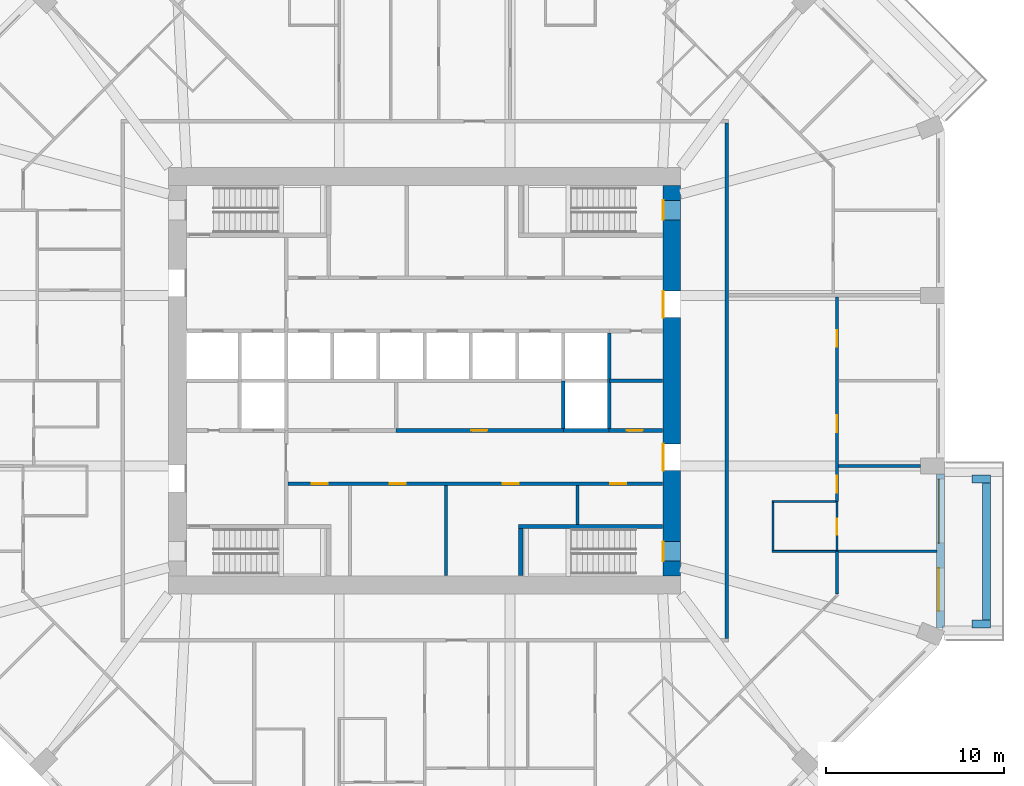
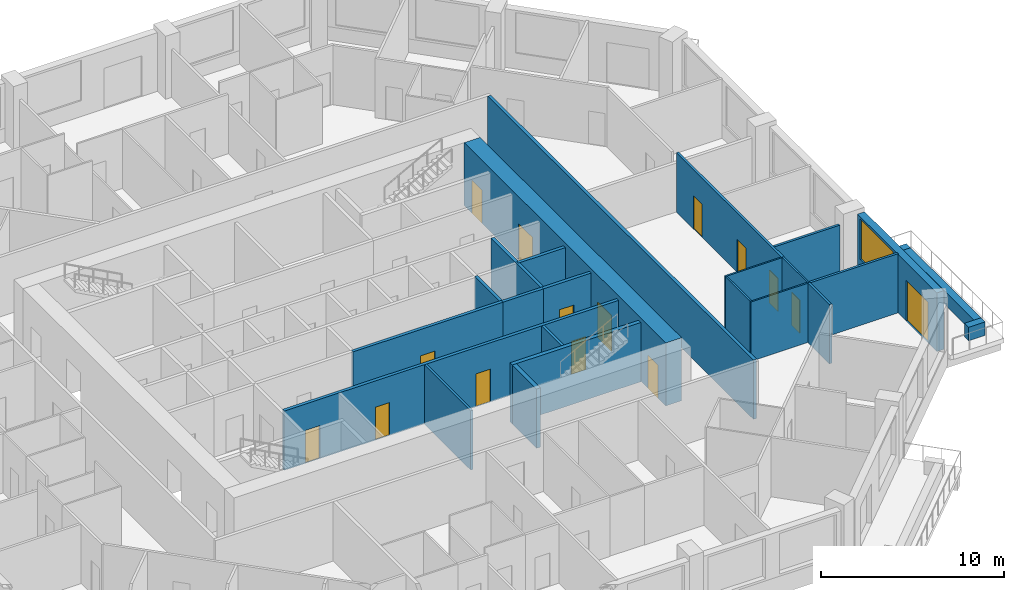
# One storey, part 6 of 13: 25 walls, 15 doors, 1 window, 16 openings.
"""IFC4 building model written with IfcOpenShell, lengths in metres."""

from ifc_helpers import new_model, si_unit, direction, frame, frame_2d, origin, place, context, subcontext, project, spatial, rectangle, extrude, material, layer, layer_set, type_object, element, fill, save


model = new_model("IFC4")

# Units and contexts
model_context = context("Model", 3, precision=1e-05, world=origin(), true_north=direction((0.0, 1.0)))
body_context = subcontext(model_context, "Body", "Model", "MODEL_VIEW")
ifc_project = project(units=[si_unit("LENGTHUNIT", "METRE"), si_unit("AREAUNIT", "SQUARE_METRE"), si_unit("VOLUMEUNIT", "CUBIC_METRE"), si_unit("PLANEANGLEUNIT", "RADIAN"), si_unit("MASSUNIT", "GRAM", prefix="KILO")], contexts=[model_context])

# Site, building, storey
site_placement = place(None, origin())
site = spatial("IfcSite", under=ifc_project, at=site_placement, CompositionType="ELEMENT")
building_placement = place(site_placement, origin())
building = spatial("IfcBuilding", under=site, at=building_placement, Name="Msitu Wima Residences", CompositionType="ELEMENT")
storey_placement = place(building_placement, frame((0.0, 0.0, 84.300048828125)))
storey = spatial("IfcBuildingStorey", under=building, at=storey_placement, Name="L19", CompositionType="ELEMENT", Elevation=84.300048828125)

# Walls
ifc_material_1 = material(Name="Facing brick")
ifc_layer_1 = layer(ifc_material_1, 0.06494140625, Name="Facing brick")
ifc_material_2 = material(Name="Concrete C40/50", Category="concrete")
ifc_layer_2 = layer(ifc_material_2, 0.156005859375, Name="Concrete C40/50")
ifc_material_3 = material(Name="Waterproofing membrane")
ifc_layer_3 = layer(ifc_material_3, 0.00390625, Name="Waterproofing membrane")
ifc_material_4 = material(Name="Planting soil and planting")
ifc_layer_4 = layer(ifc_material_4, 0.22509765625, Name="Planting soil and planting")
ifc_layer_set_1 = layer_set([ifc_layer_1, ifc_layer_2, ifc_layer_3, ifc_layer_4], Name="Concrete C40/50")
wall_type_1 = type_object("IfcWallType", Name="Balcony planter PLANTER PL450", PredefinedType="USERDEFINED", material=ifc_layer_set_1)
wall_1_placement = place(storey_placement, frame((31.625, -13.449951171875, 0.0), z_axis=(0.0, 0.0, 1.0), x_axis=(0.0, 1.0, 0.0)))
element("IfcWall", 1, at=wall_1_placement, inside=storey, type_object=wall_type_1, Name="Balcony planter E0 L19", ObjectType="PLANTER", PredefinedType="USERDEFINED", context=body_context, shape_type="SweptSolid", body=[
    extrude(rectangle(XDim=7.699951171875, YDim=0.449951171875, at=frame_2d((3.85009765625, 0.0))), origin(), (0.0, 0.0, 1.0), 0.89990234375),
])
for number, where, z_axis, x_axis, name in (
    (2, (30.800048828125, -13.675048828125, 0.0), (0.0, 0.0, 1.0), (1.0, 0.0, 0.0), "Balcony planter E0 L19"),
    (3, (30.800048828125, -5.52490234375, 0.0), (0.0, 0.0, 1.0), (1.0, 0.0, 0.0), "Balcony planter E0 L19"),
):
    element("IfcWall", number, at=place(storey_placement, frame(where, z_axis=z_axis, x_axis=x_axis)), inside=storey, type_object=wall_type_1, Name=name, ObjectType="PLANTER", PredefinedType="USERDEFINED", context=body_context, shape_type="SweptSolid", body=[
        extrude(rectangle(XDim=1.050048828125, YDim=0.449951171875, at=frame_2d((0.52490234375, 0.0))), origin(), (0.0, 0.0, 1.0), 0.89990234375),
    ])

# Wall, openings, door, window
ifc_material_5 = material(Name="Brick (red buff mix)", Category="masonry")
ifc_layer_5 = layer(ifc_material_5, 0.449951171875)
ifc_layer_set_2 = layer_set([ifc_layer_5], Name="Brick (red buff mix)")
wall_type_2 = type_object("IfcWallType", Name="Brick infill wall BW450", PredefinedType="SOLIDWALL", material=ifc_layer_set_2)
wall_2_placement = place(storey_placement, frame((29.02490234375, -13.912841796875, 0.0), z_axis=(0.0, 0.0, 1.0), x_axis=(0.0, 1.0, 0.0)))
wall_2 = element("IfcWall", 4, at=wall_2_placement, inside=storey, type_object=wall_type_2, Name="Brick infill wall L19 E0", PredefinedType="SOLIDWALL", context=body_context, shape_type="SweptSolid", body=[
    extrude(rectangle(XDim=8.662841796875, YDim=0.449951171875, at=frame_2d((4.33154296875, 0.0))), origin(), (0.0, 0.0, 1.0), 3.89990234375),
])
opening_1_placement = place(wall_2_placement, frame((0.9658203125, 0.0, 0.0)))
opening_1 = element("IfcOpeningElement", 5, at=opening_1_placement, cuts=wall_2, Name="Opening D18-20.001", PredefinedType="OPENING", context=body_context, shape_type="SweptSolid", body=[
    extrude(rectangle(XDim=2.39990234375, YDim=2.699951171875, at=frame_2d((1.199951171875, 1.35009765625))), frame((0.0, 0.23486328125, 0.0), z_axis=(0.0, -1.0, 0.0), x_axis=(1.0, 0.0, 0.0)), (0.0, 0.0, 1.0), 0.469970703125),
])
opening_2_placement = place(wall_2_placement, frame((4.781494140625, 0.0, 1.050048828125)))
opening_2 = element("IfcOpeningElement", 6, at=opening_2_placement, cuts=wall_2, Name="Opening W18-20.001", PredefinedType="OPENING", context=body_context, shape_type="SweptSolid", body=[
    extrude(rectangle(XDim=3.60009765625, YDim=2.699951171875, at=frame_2d((1.800048828125, 1.35009765625))), frame((0.0, 0.23486328125, 0.0), z_axis=(0.0, -1.0, 0.0), x_axis=(1.0, 0.0, 0.0)), (0.0, 0.0, 1.0), 0.469970703125),
])
ifc_material_6 = material(Name="Anodised aluminium, bronze finish, clear low-emissivity double glazing", Category="aluminium")
door_type_1 = type_object("IfcDoorType", Name="Balcony door D2400x2700", OperationType="SLIDING_TO_LEFT", PredefinedType="DOOR", material=ifc_material_6)
door_1_placement = place(opening_1_placement, origin())
door_1 = element("IfcDoor", 7, at=door_1_placement, inside=storey, type_object=door_type_1, Name="Balcony door L19 E0", OperationType="SINGLE_SWING_LEFT", OverallHeight=2.699951171875, OverallWidth=2.39990234375, PredefinedType="DOOR", context=body_context, shape_type="SweptSolid", body=[
    extrude(rectangle(XDim=2.39990234375, YDim=2.699951171875, at=frame_2d((1.199951171875, 1.35009765625))), frame((0.0, 0.1298828125, 0.0), z_axis=(0.0, -1.0, 0.0), x_axis=(1.0, 0.0, 0.0)), (0.0, 0.0, 1.0), 0.050048828125),
])
fill(opening_1, door_1)
window_type = type_object("IfcWindowType", Name="Window W3600x2700", PartitioningType="DOUBLE_PANEL_VERTICAL", PredefinedType="WINDOW", material=ifc_material_6)
window_placement = place(opening_2_placement, origin())
window = element("IfcWindow", 8, at=window_placement, inside=storey, type_object=window_type, Name="Window L19 E0.2", OverallHeight=2.699951171875, OverallWidth=3.60009765625, PartitioningType="SINGLE_PANEL", PredefinedType="WINDOW", context=body_context, shape_type="SweptSolid", body=[
    extrude(rectangle(XDim=3.60009765625, YDim=2.699951171875, at=frame_2d((1.800048828125, 1.35009765625))), frame((0.0, 0.135009765625, 0.0), z_axis=(0.0, -1.0, 0.0), x_axis=(1.0, 0.0, 0.0)), (0.0, 0.0, 1.0), 0.06005859375),
])
fill(opening_2, window)

# Wall, openings, doors
ifc_material_7 = material(Name="Concrete C80/95", Category="concrete")
ifc_layer_6 = layer(ifc_material_7, 1.0)
ifc_layer_set_3 = layer_set([ifc_layer_6], Name="Concrete C80/95")
wall_type_3 = type_object("IfcWallType", Name="Core wall CW1000 C80/95", PredefinedType="SHEAR", material=ifc_layer_set_3)
wall_3_placement = place(storey_placement, frame((13.89990234375, -11.0, 0.0), z_axis=(0.0, 0.0, 1.0), x_axis=(0.0, 1.0, 0.0)))
wall_3 = element("IfcWall", 9, at=wall_3_placement, inside=storey, type_object=wall_type_3, Name="Core wall", PredefinedType="SHEAR", context=body_context, shape_type="SweptSolid", body=[
    extrude(rectangle(XDim=22.0, YDim=1.0, at=frame_2d((11.0, 0.0))), origin(), (0.0, 0.0, 1.0), 4.199951171875),
])
opening_3_placement = place(wall_3_placement, frame((20.050048828125, 0.0, 0.0)))
opening_3 = element("IfcOpeningElement", 10, at=opening_3_placement, cuts=wall_3, Name="Opening D18-20.035", PredefinedType="OPENING", context=body_context, shape_type="SweptSolid", body=[
    extrude(rectangle(XDim=1.10009765625, YDim=2.199951171875, at=frame_2d((0.550048828125, 1.10009765625))), frame((0.0, 0.510009765625, 0.0), z_axis=(0.0, -1.0, 0.0), x_axis=(1.0, 0.0, 0.0)), (0.0, 0.0, 1.0), 1.02001953125),
])
opening_4_placement = place(wall_3_placement, frame((0.85009765625, 0.0, 0.0)))
opening_4 = element("IfcOpeningElement", 11, at=opening_4_placement, cuts=wall_3, Name="Opening D18-20.036", PredefinedType="OPENING", context=body_context, shape_type="SweptSolid", body=[
    extrude(rectangle(XDim=1.10009765625, YDim=2.199951171875, at=frame_2d((0.550048828125, 1.10009765625))), frame((0.0, 0.510009765625, 0.0), z_axis=(0.0, -1.0, 0.0), x_axis=(1.0, 0.0, 0.0)), (0.0, 0.0, 1.0), 1.02001953125),
])
opening_5_placement = place(wall_3_placement, frame((14.550048828125, 0.0, 0.0)))
opening_5 = element("IfcOpeningElement", 12, at=opening_5_placement, cuts=wall_3, Name="Opening D18-20.025", PredefinedType="OPENING", context=body_context, shape_type="SweptSolid", body=[
    extrude(rectangle(XDim=1.5, YDim=2.39990234375, at=frame_2d((0.75, 1.199951171875))), frame((0.0, 0.510009765625, 0.0), z_axis=(0.0, -1.0, 0.0), x_axis=(1.0, 0.0, 0.0)), (0.0, 0.0, 1.0), 1.02001953125),
])
opening_6_placement = place(wall_3_placement, frame((5.949951171875, 0.0, 0.0)))
opening_6 = element("IfcOpeningElement", 13, at=opening_6_placement, cuts=wall_3, Name="Opening D18-20.026", PredefinedType="OPENING", context=body_context, shape_type="SweptSolid", body=[
    extrude(rectangle(XDim=1.5, YDim=2.39990234375, at=frame_2d((0.75, 1.199951171875))), frame((0.0, 0.510009765625, 0.0), z_axis=(0.0, -1.0, 0.0), x_axis=(1.0, 0.0, 0.0)), (0.0, 0.0, 1.0), 1.02001953125),
])
ifc_material_8 = material(Name="Steel framed glazed door, fire resisting", Category="steel")
door_type_2 = type_object("IfcDoorType", Name="Lobby door D07 1500x2400", OperationType="DOUBLE_DOOR_SINGLE_SWING", PredefinedType="DOOR", material=ifc_material_8)
door_2_placement = place(opening_5_placement, origin())
door_2 = element("IfcDoor", 14, at=door_2_placement, inside=storey, type_object=door_type_2, Name="Lobby door", OperationType="DOUBLE_DOOR_SINGLE_SWING", OverallHeight=2.39990234375, OverallWidth=1.5, PredefinedType="DOOR", context=body_context, shape_type="SweptSolid", body=[
    extrude(rectangle(XDim=1.5, YDim=2.39990234375, at=frame_2d((0.75, 1.199951171875))), frame((0.0, 0.4951171875, 0.0), z_axis=(0.0, -1.0, 0.0), x_axis=(1.0, 0.0, 0.0)), (0.0, 0.0, 1.0), 0.050048828125),
])
fill(opening_5, door_2)
door_3_placement = place(opening_6_placement, origin())
door_3 = element("IfcDoor", 15, at=door_3_placement, inside=storey, type_object=door_type_2, Name="Lobby door", OperationType="DOUBLE_DOOR_SINGLE_SWING", OverallHeight=2.39990234375, OverallWidth=1.5, PredefinedType="DOOR", context=body_context, shape_type="SweptSolid", body=[
    extrude(rectangle(XDim=1.5, YDim=2.39990234375, at=frame_2d((0.75, 1.199951171875))), frame((0.0, 0.4951171875, 0.0), z_axis=(0.0, -1.0, 0.0), x_axis=(1.0, 0.0, 0.0)), (0.0, 0.0, 1.0), 0.050048828125),
])
fill(opening_6, door_3)
ifc_material_9 = material(Name="Steel door, fire resisting, panic bar", Category="steel")
door_type_3 = type_object("IfcDoorType", Name="Stair door D06 1100x2200", OperationType="SINGLE_SWING_LEFT", PredefinedType="DOOR", material=ifc_material_9)
door_4_placement = place(opening_3_placement, origin())
door_4 = element("IfcDoor", 16, at=door_4_placement, inside=storey, type_object=door_type_3, Name="Stair door", OperationType="SINGLE_SWING_LEFT", OverallHeight=2.199951171875, OverallWidth=1.10009765625, PredefinedType="DOOR", context=body_context, shape_type="SweptSolid", body=[
    extrude(rectangle(XDim=1.10009765625, YDim=2.199951171875, at=frame_2d((0.550048828125, 1.10009765625))), frame((0.0, 0.4951171875, 0.0), z_axis=(0.0, -1.0, 0.0), x_axis=(1.0, 0.0, 0.0)), (0.0, 0.0, 1.0), 0.050048828125),
])
fill(opening_3, door_4)
door_5_placement = place(opening_4_placement, origin())
door_5 = element("IfcDoor", 17, at=door_5_placement, inside=storey, type_object=door_type_3, Name="Stair door", OperationType="SINGLE_SWING_RIGHT", OverallHeight=2.199951171875, OverallWidth=1.10009765625, PredefinedType="DOOR", context=body_context, shape_type="SweptSolid", body=[
    extrude(rectangle(XDim=1.10009765625, YDim=2.199951171875, at=frame_2d((0.550048828125, 1.10009765625))), frame((0.0, 0.4951171875, 0.0), z_axis=(0.0, -1.0, 0.0), x_axis=(1.0, 0.0, 0.0)), (0.0, 0.0, 1.0), 0.050048828125),
])
fill(opening_4, door_5)

ifc_material_10 = material(Name="Plaster")
ifc_layer_7 = layer(ifc_material_10, 0.011962890625, Name="Plaster")
ifc_material_11 = material(Name="Concrete blockwork", Category="masonry")
ifc_layer_8 = layer(ifc_material_11, 0.176025390625, Name="Concrete blockwork")
ifc_layer_9 = layer(ifc_material_10, 0.011962890625, Name="Plaster")
ifc_layer_set_4 = layer_set([ifc_layer_7, ifc_layer_8, ifc_layer_9], Name="Concrete blockwork")
wall_type_4 = type_object("IfcWallType", Name="Corridor wall FW200", PredefinedType="PARTITIONING", material=ifc_layer_set_4)
wall_4_placement = place(storey_placement, frame((-7.699951171875, -5.800048828125, 0.0), z_axis=(0.0, 0.0, 1.0), x_axis=(1.0, 0.0, 0.0)))
wall_4 = element("IfcWall", 18, at=wall_4_placement, inside=storey, type_object=wall_type_4, Name="Corridor wall", PredefinedType="PARTITIONING", context=body_context, shape_type="SweptSolid", body=[
    extrude(rectangle(XDim=21.070068359375, YDim=0.199951171875, at=frame_2d((10.53515625, 0.0))), origin(), (0.0, 0.0, 1.0), 3.949951171875),
])
opening_7_placement = place(wall_4_placement, frame((1.35009765625, 0.0, 0.0)))
opening_7 = element("IfcOpeningElement", 19, at=opening_7_placement, cuts=wall_4, Name="Opening D18-20.021", PredefinedType="OPENING", context=body_context, shape_type="SweptSolid", body=[
    extrude(rectangle(XDim=0.89990234375, YDim=2.199951171875, at=frame_2d((0.449951171875, 1.10009765625))), frame((0.0, 0.10986328125, 0.0), z_axis=(0.0, -1.0, 0.0), x_axis=(1.0, 0.0, 0.0)), (0.0, 0.0, 1.0), 0.219970703125),
])
opening_8_placement = place(wall_4_placement, frame((5.75, 0.0, 0.0)))
opening_8 = element("IfcOpeningElement", 20, at=opening_8_placement, cuts=wall_4, Name="Opening D18-20.022", PredefinedType="OPENING", context=body_context, shape_type="SweptSolid", body=[
    extrude(rectangle(XDim=0.89990234375, YDim=2.199951171875, at=frame_2d((0.449951171875, 1.10009765625))), frame((0.0, 0.10986328125, 0.0), z_axis=(0.0, -1.0, 0.0), x_axis=(1.0, 0.0, 0.0)), (0.0, 0.0, 1.0), 0.219970703125),
])
opening_9_placement = place(wall_4_placement, frame((12.10009765625, 0.0, 0.0)))
opening_9 = element("IfcOpeningElement", 21, at=opening_9_placement, cuts=wall_4, Name="Opening D18-20.023", PredefinedType="OPENING", context=body_context, shape_type="SweptSolid", body=[
    extrude(rectangle(XDim=0.89990234375, YDim=2.199951171875, at=frame_2d((0.449951171875, 1.10009765625))), frame((0.0, 0.10986328125, 0.0), z_axis=(0.0, -1.0, 0.0), x_axis=(1.0, 0.0, 0.0)), (0.0, 0.0, 1.0), 0.219970703125),
])
opening_10_placement = place(wall_4_placement, frame((18.14990234375, 0.0, 0.0)))
opening_10 = element("IfcOpeningElement", 22, at=opening_10_placement, cuts=wall_4, Name="Opening D18-20.024", PredefinedType="OPENING", context=body_context, shape_type="SweptSolid", body=[
    extrude(rectangle(XDim=0.89990234375, YDim=2.199951171875, at=frame_2d((0.449951171875, 1.10009765625))), frame((0.0, 0.10986328125, 0.0), z_axis=(0.0, -1.0, 0.0), x_axis=(1.0, 0.0, 0.0)), (0.0, 0.0, 1.0), 0.219970703125),
])
ifc_material_12 = material(Name="Timber flush door", Category="wood")
door_type_4 = type_object("IfcDoorType", Name="Service door D05 900x2200", OperationType="SINGLE_SWING_LEFT", PredefinedType="DOOR", material=ifc_material_12)
door_6_placement = place(opening_7_placement, origin())
door_6 = element("IfcDoor", 23, at=door_6_placement, inside=storey, type_object=door_type_4, Name="Service door", OperationType="SINGLE_SWING_LEFT", OverallHeight=2.199951171875, OverallWidth=0.89990234375, PredefinedType="DOOR", context=body_context, shape_type="SweptSolid", body=[
    extrude(rectangle(XDim=0.89990234375, YDim=2.199951171875, at=frame_2d((0.449951171875, 1.10009765625))), frame((0.0, 0.02490234375, 0.0), z_axis=(0.0, -1.0, 0.0), x_axis=(1.0, 0.0, 0.0)), (0.0, 0.0, 1.0), 0.050048828125),
])
fill(opening_7, door_6)
door_7_placement = place(opening_8_placement, origin())
door_7 = element("IfcDoor", 24, at=door_7_placement, inside=storey, type_object=door_type_4, Name="Service door", OperationType="SINGLE_SWING_RIGHT", OverallHeight=2.199951171875, OverallWidth=0.89990234375, PredefinedType="DOOR", context=body_context, shape_type="SweptSolid", body=[
    extrude(rectangle(XDim=0.89990234375, YDim=2.199951171875, at=frame_2d((0.449951171875, 1.10009765625))), frame((0.0, 0.02490234375, 0.0), z_axis=(0.0, -1.0, 0.0), x_axis=(1.0, 0.0, 0.0)), (0.0, 0.0, 1.0), 0.050048828125),
])
fill(opening_8, door_7)
door_8_placement = place(opening_9_placement, origin())
door_8 = element("IfcDoor", 25, at=door_8_placement, inside=storey, type_object=door_type_4, Name="Service door", OperationType="SINGLE_SWING_LEFT", OverallHeight=2.199951171875, OverallWidth=0.89990234375, PredefinedType="DOOR", context=body_context, shape_type="SweptSolid", body=[
    extrude(rectangle(XDim=0.89990234375, YDim=2.199951171875, at=frame_2d((0.449951171875, 1.10009765625))), frame((0.0, 0.02490234375, 0.0), z_axis=(0.0, -1.0, 0.0), x_axis=(1.0, 0.0, 0.0)), (0.0, 0.0, 1.0), 0.050048828125),
])
fill(opening_9, door_8)
door_9_placement = place(opening_10_placement, origin())
door_9 = element("IfcDoor", 26, at=door_9_placement, inside=storey, type_object=door_type_4, Name="Service door", OperationType="SINGLE_SWING_RIGHT", OverallHeight=2.199951171875, OverallWidth=0.89990234375, PredefinedType="DOOR", context=body_context, shape_type="SweptSolid", body=[
    extrude(rectangle(XDim=0.89990234375, YDim=2.199951171875, at=frame_2d((0.449951171875, 1.10009765625))), frame((0.0, 0.02490234375, 0.0), z_axis=(0.0, -1.0, 0.0), x_axis=(1.0, 0.0, 0.0)), (0.0, 0.0, 1.0), 0.050048828125),
])
fill(opening_10, door_9)

# Wall, opening, door
wall_5_placement = place(storey_placement, frame((-1.6201171875, -2.800048828125, 0.0), z_axis=(0.0, 0.0, 1.0), x_axis=(1.0, 0.0, 0.0)))
wall_5 = element("IfcWall", 27, at=wall_5_placement, inside=storey, type_object=wall_type_4, Name="Corridor wall", PredefinedType="PARTITIONING", context=body_context, shape_type="SweptSolid", body=[
    extrude(rectangle(XDim=9.440185546875, YDim=0.199951171875, at=frame_2d((4.72021484375, 0.0))), origin(), (0.0, 0.0, 1.0), 3.949951171875),
])
opening_11_placement = place(wall_5_placement, frame((4.25, 0.0, 0.0)))
opening_11 = element("IfcOpeningElement", 28, at=opening_11_placement, cuts=wall_5, Name="Opening D18-20.030", PredefinedType="OPENING", context=body_context, shape_type="SweptSolid", body=[
    extrude(rectangle(XDim=0.89990234375, YDim=2.199951171875, at=frame_2d((0.449951171875, 1.10009765625))), frame((0.0, 0.10986328125, 0.0), z_axis=(0.0, -1.0, 0.0), x_axis=(1.0, 0.0, 0.0)), (0.0, 0.0, 1.0), 0.219970703125),
])
door_10_placement = place(opening_11_placement, origin())
door_10 = element("IfcDoor", 29, at=door_10_placement, inside=storey, type_object=door_type_4, Name="Service door", OperationType="SINGLE_SWING_LEFT", OverallHeight=2.199951171875, OverallWidth=0.89990234375, PredefinedType="DOOR", context=body_context, shape_type="SweptSolid", body=[
    extrude(rectangle(XDim=0.89990234375, YDim=2.199951171875, at=frame_2d((0.449951171875, 1.10009765625))), frame((0.0, 0.02490234375, 0.0), z_axis=(0.0, -1.0, 0.0), x_axis=(1.0, 0.0, 0.0)), (0.0, 0.0, 1.0), 0.050048828125),
])
fill(opening_11, door_10)

# Walls
wall_6_placement = place(storey_placement, frame((17.0, -14.5, 0.0), z_axis=(0.0, 0.0, 1.0), x_axis=(0.0, 1.0, 0.0)))
element("IfcWall", 30, at=wall_6_placement, inside=storey, type_object=wall_type_4, Name="Corridor wall", PredefinedType="PARTITIONING", context=body_context, shape_type="SweptSolid", body=[
    extrude(rectangle(XDim=29.0, YDim=0.199951171875, at=frame_2d((14.5, 0.0))), origin(), (0.0, 0.0, 1.0), 3.949951171875),
])
ifc_layer_10 = layer(ifc_material_10, 0.011962890625, Name="Plaster")
ifc_layer_11 = layer(ifc_material_11, 0.1259765625, Name="Concrete blockwork")
ifc_layer_12 = layer(ifc_material_10, 0.011962890625, Name="Plaster")
ifc_layer_set_5 = layer_set([ifc_layer_10, ifc_layer_11, ifc_layer_12], Name="Concrete blockwork")
wall_type_5 = type_object("IfcWallType", Name="Partition PW150", PredefinedType="PARTITIONING", material=ifc_layer_set_5)
wall_7_placement = place(storey_placement, frame((1.199951171875, -10.969970703125, 0.0), z_axis=(0.0, 0.0, 1.0), x_axis=(0.0, 1.0, 0.0)))
element("IfcWall", 31, at=wall_7_placement, inside=storey, type_object=wall_type_5, Name="Partition", PredefinedType="PARTITIONING", context=body_context, shape_type="SweptSolid", body=[
    extrude(rectangle(XDim=5.070068359375, YDim=0.14990234375, at=frame_2d((2.53515625, 0.0))), origin(), (0.0, 0.0, 1.0), 3.949951171875),
])
wall_8_placement = place(storey_placement, frame((8.60009765625, -8.074951171875, 0.0), z_axis=(0.0, 0.0, 1.0), x_axis=(0.0, 1.0, 0.0)))
element("IfcWall", 32, at=wall_8_placement, inside=storey, type_object=wall_type_5, Name="Partition", PredefinedType="PARTITIONING", context=body_context, shape_type="SweptSolid", body=[
    extrude(rectangle(XDim=2.175048828125, YDim=0.14990234375, at=frame_2d((1.08740234375, 0.0))), origin(), (0.0, 0.0, 1.0), 3.949951171875),
])
wall_9_placement = place(storey_placement, frame((23.179931640625, -9.60009765625, 0.0), z_axis=(0.0, 0.0, 1.0), x_axis=(1.0, 0.0, 0.0)))
element("IfcWall", 33, at=wall_9_placement, inside=storey, type_object=wall_type_5, Name="Partition", PredefinedType="PARTITIONING", context=body_context, shape_type="SweptSolid", body=[
    extrude(rectangle(XDim=5.64501953125, YDim=0.14990234375, at=frame_2d((2.822509765625, 0.0))), origin(), (0.0, 0.0, 1.0), 3.949951171875),
])
wall_10_placement = place(storey_placement, frame((23.199951171875, -12.00537109375, 0.0), z_axis=(0.0, 0.0, 1.0), x_axis=(0.0, 1.0, 0.0)))
element("IfcWall", 34, at=wall_10_placement, inside=storey, type_object=wall_type_5, Name="Partition", PredefinedType="PARTITIONING", context=body_context, shape_type="SweptSolid", body=[
    extrude(rectangle(XDim=2.38525390625, YDim=0.14990234375, at=frame_2d((1.192626953125, 0.0))), origin(), (0.0, 0.0, 1.0), 3.949951171875),
])

# Wall, openings, doors
wall_11_placement = place(storey_placement, frame((23.199951171875, -6.800048828125, 0.0), z_axis=(0.0, 0.0, 1.0), x_axis=(0.0, 1.0, 0.0)))
wall_11 = element("IfcWall", 35, at=wall_11_placement, inside=storey, type_object=wall_type_5, Name="Partition", PredefinedType="PARTITIONING", context=body_context, shape_type="SweptSolid", body=[
    extrude(rectangle(XDim=11.5, YDim=0.14990234375, at=frame_2d((5.75, 0.0))), origin(), (0.0, 0.0, 1.0), 3.949951171875),
])
opening_12_placement = place(wall_11_placement, frame((3.89990234375, 0.0, 0.0)))
opening_12 = element("IfcOpeningElement", 36, at=opening_12_placement, cuts=wall_11, Name="Opening D18-20.075", PredefinedType="OPENING", context=body_context, shape_type="SweptSolid", body=[
    extrude(rectangle(XDim=0.949951171875, YDim=2.199951171875, at=frame_2d((0.47509765625, 1.10009765625))), frame((0.0, 0.0849609375, 0.0), z_axis=(0.0, -1.0, 0.0), x_axis=(1.0, 0.0, 0.0)), (0.0, 0.0, 1.0), 0.169921875),
])
opening_13_placement = place(wall_11_placement, frame((0.5, 0.0, 0.0)))
opening_13 = element("IfcOpeningElement", 37, at=opening_13_placement, cuts=wall_11, Name="Opening D18-20.078", PredefinedType="OPENING", context=body_context, shape_type="SweptSolid", body=[
    extrude(rectangle(XDim=0.949951171875, YDim=2.199951171875, at=frame_2d((0.47509765625, 1.10009765625))), frame((0.0, 0.0849609375, 0.0), z_axis=(0.0, -1.0, 0.0), x_axis=(1.0, 0.0, 0.0)), (0.0, 0.0, 1.0), 0.169921875),
])
opening_14_placement = place(wall_11_placement, frame((8.699951171875, 0.0, 0.0)))
opening_14 = element("IfcOpeningElement", 38, at=opening_14_placement, cuts=wall_11, Name="Opening D18-20.083", PredefinedType="OPENING", context=body_context, shape_type="SweptSolid", body=[
    extrude(rectangle(XDim=0.949951171875, YDim=2.199951171875, at=frame_2d((0.47509765625, 1.10009765625))), frame((0.0, 0.0849609375, 0.0), z_axis=(0.0, -1.0, 0.0), x_axis=(1.0, 0.0, 0.0)), (0.0, 0.0, 1.0), 0.169921875),
])
door_type_5 = type_object("IfcDoorType", Name="Room door D12 950x2200", OperationType="SINGLE_SWING_LEFT", PredefinedType="DOOR", material=ifc_material_12)
door_11_placement = place(opening_12_placement, origin())
door_11 = element("IfcDoor", 39, at=door_11_placement, inside=storey, type_object=door_type_5, Name="Room door", OperationType="SINGLE_SWING_RIGHT", OverallHeight=2.199951171875, OverallWidth=0.949951171875, PredefinedType="DOOR", context=body_context, shape_type="SweptSolid", body=[
    extrude(rectangle(XDim=0.949951171875, YDim=2.199951171875, at=frame_2d((0.47509765625, 1.10009765625))), frame((0.0, 0.02490234375, 0.0), z_axis=(0.0, -1.0, 0.0), x_axis=(1.0, 0.0, 0.0)), (0.0, 0.0, 1.0), 0.050048828125),
])
fill(opening_12, door_11)
door_12_placement = place(opening_13_placement, origin())
door_12 = element("IfcDoor", 40, at=door_12_placement, inside=storey, type_object=door_type_5, Name="Room door", OperationType="SINGLE_SWING_LEFT", OverallHeight=2.199951171875, OverallWidth=0.949951171875, PredefinedType="DOOR", context=body_context, shape_type="SweptSolid", body=[
    extrude(rectangle(XDim=0.949951171875, YDim=2.199951171875, at=frame_2d((0.47509765625, 1.10009765625))), frame((0.0, 0.02490234375, 0.0), z_axis=(0.0, -1.0, 0.0), x_axis=(1.0, 0.0, 0.0)), (0.0, 0.0, 1.0), 0.050048828125),
])
fill(opening_13, door_12)
door_13_placement = place(opening_14_placement, origin())
door_13 = element("IfcDoor", 41, at=door_13_placement, inside=storey, type_object=door_type_5, Name="Room door", OperationType="SINGLE_SWING_RIGHT", OverallHeight=2.199951171875, OverallWidth=0.949951171875, PredefinedType="DOOR", context=body_context, shape_type="SweptSolid", body=[
    extrude(rectangle(XDim=0.949951171875, YDim=2.199951171875, at=frame_2d((0.47509765625, 1.10009765625))), frame((0.0, 0.02490234375, 0.0), z_axis=(0.0, -1.0, 0.0), x_axis=(1.0, 0.0, 0.0)), (0.0, 0.0, 1.0), 0.050048828125),
])
fill(opening_14, door_13)

# Wall
wall_12_placement = place(storey_placement, frame((23.27490234375, -4.800048828125, 0.0), z_axis=(0.0, 0.0, 1.0), x_axis=(1.0, 0.0, 0.0)))
element("IfcWall", 42, at=wall_12_placement, inside=storey, type_object=wall_type_5, Name="Partition", PredefinedType="PARTITIONING", context=body_context, shape_type="SweptSolid", body=[
    extrude(rectangle(XDim=4.625, YDim=0.14990234375, at=frame_2d((2.3125, 0.0))), origin(), (0.0, 0.0, 1.0), 3.25),
])

# Wall, opening, door
ifc_layer_13 = layer(ifc_material_10, 0.011962890625, Name="Plaster")
ifc_material_13 = material(Name="Reinforced concrete blockwork", Category="masonry")
ifc_layer_14 = layer(ifc_material_13, 0.176025390625, Name="Reinforced concrete blockwork")
ifc_layer_15 = layer(ifc_material_10, 0.011962890625, Name="Plaster")
ifc_layer_set_6 = layer_set([ifc_layer_13, ifc_layer_14, ifc_layer_15], Name="Reinforced concrete blockwork")
wall_type_6 = type_object("IfcWallType", Name="Plant and riser wall PL200", PredefinedType="PARTITIONING", material=ifc_layer_set_6)
wall_13_placement = place(storey_placement, frame((10.3798828125, -2.800048828125, 0.0), z_axis=(0.0, 0.0, 1.0), x_axis=(1.0, 0.0, 0.0)))
wall_13 = element("IfcWall", 43, at=wall_13_placement, inside=storey, type_object=wall_type_6, Name="Plant and riser wall", PredefinedType="PARTITIONING", context=body_context, shape_type="SweptSolid", body=[
    extrude(rectangle(XDim=2.990234375, YDim=0.199951171875, at=frame_2d((1.4951171875, 0.0))), origin(), (0.0, 0.0, 1.0), 3.949951171875),
])
opening_15_placement = place(wall_13_placement, frame((1.0, 0.0, 0.0)))
opening_15 = element("IfcOpeningElement", 44, at=opening_15_placement, cuts=wall_13, Name="Opening D18-20.011", PredefinedType="OPENING", context=body_context, shape_type="SweptSolid", body=[
    extrude(rectangle(XDim=0.89990234375, YDim=2.199951171875, at=frame_2d((0.449951171875, 1.10009765625))), frame((0.0, 0.10986328125, 0.0), z_axis=(0.0, -1.0, 0.0), x_axis=(1.0, 0.0, 0.0)), (0.0, 0.0, 1.0), 0.219970703125),
])
door_14_placement = place(opening_15_placement, origin())
door_14 = element("IfcDoor", 45, at=door_14_placement, inside=storey, type_object=door_type_4, Name="Service door", OperationType="SINGLE_SWING_LEFT", OverallHeight=2.199951171875, OverallWidth=0.89990234375, PredefinedType="DOOR", context=body_context, shape_type="SweptSolid", body=[
    extrude(rectangle(XDim=0.89990234375, YDim=2.199951171875, at=frame_2d((0.449951171875, 1.10009765625))), frame((0.0, 0.02490234375, 0.0), z_axis=(0.0, -1.0, 0.0), x_axis=(1.0, 0.0, 0.0)), (0.0, 0.0, 1.0), 0.050048828125),
])
fill(opening_15, door_14)

# Walls
wall_14_placement = place(storey_placement, frame((10.39990234375, 0.0, 0.0), z_axis=(0.0, 0.0, 1.0), x_axis=(1.0, 0.0, 0.0)))
element("IfcWall", 46, at=wall_14_placement, inside=storey, type_object=wall_type_6, Name="Plant and riser wall", PredefinedType="PARTITIONING", context=body_context, shape_type="SweptSolid", body=[
    extrude(rectangle(XDim=2.97021484375, YDim=0.199951171875, at=frame_2d((1.485107421875, 0.0))), origin(), (0.0, 0.0, 1.0), 3.949951171875),
])
ifc_material_14 = material(Name="Fire-rated board")
ifc_layer_16 = layer(ifc_material_14, 0.02490234375, Name="Fire-rated board")
ifc_material_15 = material(Name="Light-gauge stud framing with mineral wool")
ifc_layer_17 = layer(ifc_material_15, 0.14990234375, Name="Light-gauge stud framing with mineral wool")
ifc_layer_18 = layer(ifc_material_14, 0.02490234375, Name="Fire-rated board")
ifc_layer_set_7 = layer_set([ifc_layer_16, ifc_layer_17, ifc_layer_18], Name="Light-gauge stud framing with mineral wool")
wall_type_7 = type_object("IfcWallType", Name="Shaft wall SH200", PredefinedType="PARTITIONING", material=ifc_layer_set_7)
wall_15_placement = place(storey_placement, frame((7.800048828125, -2.699951171875, 0.0), z_axis=(0.0, 0.0, 1.0), x_axis=(0.0, 1.0, 0.0)))
element("IfcWall", 47, at=wall_15_placement, inside=storey, type_object=wall_type_7, Name="Shaft wall", PredefinedType="PARTITIONING", context=body_context, shape_type="SweptSolid", body=[
    extrude(rectangle(XDim=2.699951171875, YDim=0.199951171875, at=frame_2d((1.35009765625, 0.0))), origin(), (0.0, 0.0, 1.0), 3.949951171875),
])
wall_16_placement = place(storey_placement, frame((7.820068359375, -2.800048828125, 0.0), z_axis=(0.0, 0.0, 1.0), x_axis=(1.0, 0.0, 0.0)))
element("IfcWall", 48, at=wall_16_placement, inside=storey, type_object=wall_type_7, Name="Shaft wall", PredefinedType="PARTITIONING", context=body_context, shape_type="SweptSolid", body=[
    extrude(rectangle(XDim=2.559814453125, YDim=0.199951171875, at=frame_2d((1.27978515625, 0.0))), origin(), (0.0, 0.0, 1.0), 3.949951171875),
])
wall_17_placement = place(storey_placement, frame((10.39990234375, -2.699951171875, 0.0), z_axis=(0.0, 0.0, 1.0), x_axis=(0.0, 1.0, 0.0)))
element("IfcWall", 49, at=wall_17_placement, inside=storey, type_object=wall_type_7, Name="Shaft wall", PredefinedType="PARTITIONING", context=body_context, shape_type="SweptSolid", body=[
    extrude(rectangle(XDim=5.39990234375, YDim=0.199951171875, at=frame_2d((2.699951171875, 0.0))), origin(), (0.0, 0.0, 1.0), 3.949951171875),
])
ifc_material_16 = material(Name="Concrete C50/60", Category="concrete")
ifc_layer_19 = layer(ifc_material_16, 0.25)
ifc_layer_set_8 = layer_set([ifc_layer_19], Name="Concrete C50/60")
wall_type_8 = type_object("IfcWallType", Name="Stair enclosure wall SW250", PredefinedType="SHEAR", material=ifc_layer_set_8)
wall_18_placement = place(storey_placement, frame((5.39990234375, -10.969970703125, 0.0), z_axis=(0.0, 0.0, 1.0), x_axis=(0.0, 1.0, 0.0)))
element("IfcWall", 50, at=wall_18_placement, inside=storey, type_object=wall_type_8, Name="Stair enclosure wall", PredefinedType="SHEAR", context=body_context, shape_type="SweptSolid", body=[
    extrude(rectangle(XDim=2.64501953125, YDim=0.25, at=frame_2d((1.322509765625, 0.0))), origin(), (0.0, 0.0, 1.0), 3.949951171875),
])
wall_19_placement = place(storey_placement, frame((5.27490234375, -8.199951171875, 0.0), z_axis=(0.0, 0.0, 1.0), x_axis=(1.0, 0.0, 0.0)))
element("IfcWall", 51, at=wall_19_placement, inside=storey, type_object=wall_type_8, Name="Stair enclosure wall", PredefinedType="SHEAR", context=body_context, shape_type="SweptSolid", body=[
    extrude(rectangle(XDim=8.09521484375, YDim=0.25, at=frame_2d((4.047607421875, 0.0))), origin(), (0.0, 0.0, 1.0), 3.949951171875),
])
ifc_material_17 = material(Name="Ceramic tiles")
ifc_layer_20 = layer(ifc_material_17, 0.008056640625, Name="Ceramic tiles")
ifc_material_18 = material(Name="Moisture-resistant board")
ifc_layer_21 = layer(ifc_material_18, 0.012451171875, Name="Moisture-resistant board")
ifc_layer_22 = layer(ifc_material_15, 0.06689453125, Name="Light-gauge stud framing with mineral wool")
ifc_layer_23 = layer(ifc_material_18, 0.012451171875, Name="Moisture-resistant board")
ifc_layer_set_9 = layer_set([ifc_layer_20, ifc_layer_21, ifc_layer_22, ifc_layer_23], Name="Light-gauge stud framing with mineral wool")
wall_type_9 = type_object("IfcWallType", Name="Wet wall PW100", PredefinedType="PARTITIONING", material=ifc_layer_set_9)
wall_20_placement = place(storey_placement, frame((19.60009765625, -9.550048828125, 0.0), z_axis=(0.0, 0.0, 1.0), x_axis=(0.0, 1.0, 0.0)))
element("IfcWall", 52, at=wall_20_placement, inside=storey, type_object=wall_type_9, Name="Wet wall", PredefinedType="PARTITIONING", context=body_context, shape_type="SweptSolid", body=[
    extrude(rectangle(XDim=2.699951171875, YDim=0.10009765625, at=frame_2d((1.35009765625, 0.0))), origin(), (0.0, 0.0, 1.0), 3.949951171875),
])
wall_21_placement = place(storey_placement, frame((19.550048828125, -9.60009765625, 0.0), z_axis=(0.0, 0.0, 1.0), x_axis=(1.0, 0.0, 0.0)))
element("IfcWall", 53, at=wall_21_placement, inside=storey, type_object=wall_type_9, Name="Wet wall", PredefinedType="PARTITIONING", context=body_context, shape_type="SweptSolid", body=[
    extrude(rectangle(XDim=3.6298828125, YDim=0.10009765625, at=frame_2d((1.81494140625, 0.0))), origin(), (0.0, 0.0, 1.0), 3.949951171875),
])
wall_22_placement = place(storey_placement, frame((19.550048828125, -6.800048828125, 0.0), z_axis=(0.0, 0.0, 1.0), x_axis=(1.0, 0.0, 0.0)))
element("IfcWall", 54, at=wall_22_placement, inside=storey, type_object=wall_type_9, Name="Wet wall", PredefinedType="PARTITIONING", context=body_context, shape_type="SweptSolid", body=[
    extrude(rectangle(XDim=3.574951171875, YDim=0.10009765625, at=frame_2d((1.78759765625, 0.0))), origin(), (0.0, 0.0, 1.0), 3.949951171875),
])

# Wall, opening, door
wall_23_placement = place(storey_placement, frame((23.199951171875, -9.6201171875, 0.0), z_axis=(0.0, 0.0, 1.0), x_axis=(0.0, 1.0, 0.0)))
wall_23 = element("IfcWall", 55, at=wall_23_placement, inside=storey, type_object=wall_type_9, Name="Wet wall", PredefinedType="PARTITIONING", context=body_context, shape_type="SweptSolid", body=[
    extrude(rectangle(XDim=2.820068359375, YDim=0.10009765625, at=frame_2d((1.41015625, 0.0))), origin(), (0.0, 0.0, 1.0), 3.949951171875),
])
opening_16_placement = place(wall_23_placement, frame((0.949951171875, 0.0, 0.0)))
opening_16 = element("IfcOpeningElement", 56, at=opening_16_placement, cuts=wall_23, Name="Opening D18-20.079", PredefinedType="OPENING", context=body_context, shape_type="SweptSolid", body=[
    extrude(rectangle(XDim=0.89990234375, YDim=2.199951171875, at=frame_2d((0.449951171875, 1.10009765625))), frame((0.0, 0.06005859375, 0.0), z_axis=(0.0, -1.0, 0.0), x_axis=(1.0, 0.0, 0.0)), (0.0, 0.0, 1.0), 0.1201171875),
])
ifc_material_19 = material(Name="Timber flush door, moisture resistant", Category="wood")
door_type_6 = type_object("IfcDoorType", Name="Bathroom door D03 900x2200", OperationType="SINGLE_SWING_LEFT", PredefinedType="DOOR", material=ifc_material_19)
door_15_placement = place(opening_16_placement, origin())
door_15 = element("IfcDoor", 57, at=door_15_placement, inside=storey, type_object=door_type_6, Name="Bathroom door", OperationType="SINGLE_SWING_LEFT", OverallHeight=2.199951171875, OverallWidth=0.89990234375, PredefinedType="DOOR", context=body_context, shape_type="SweptSolid", body=[
    extrude(rectangle(XDim=0.89990234375, YDim=2.199951171875, at=frame_2d((0.449951171875, 1.10009765625))), frame((0.0, 0.02490234375, 0.0), z_axis=(0.0, -1.0, 0.0), x_axis=(1.0, 0.0, 0.0)), (0.0, 0.0, 1.0), 0.050048828125),
])
fill(opening_16, door_15)

save(model, "model.ifc")
